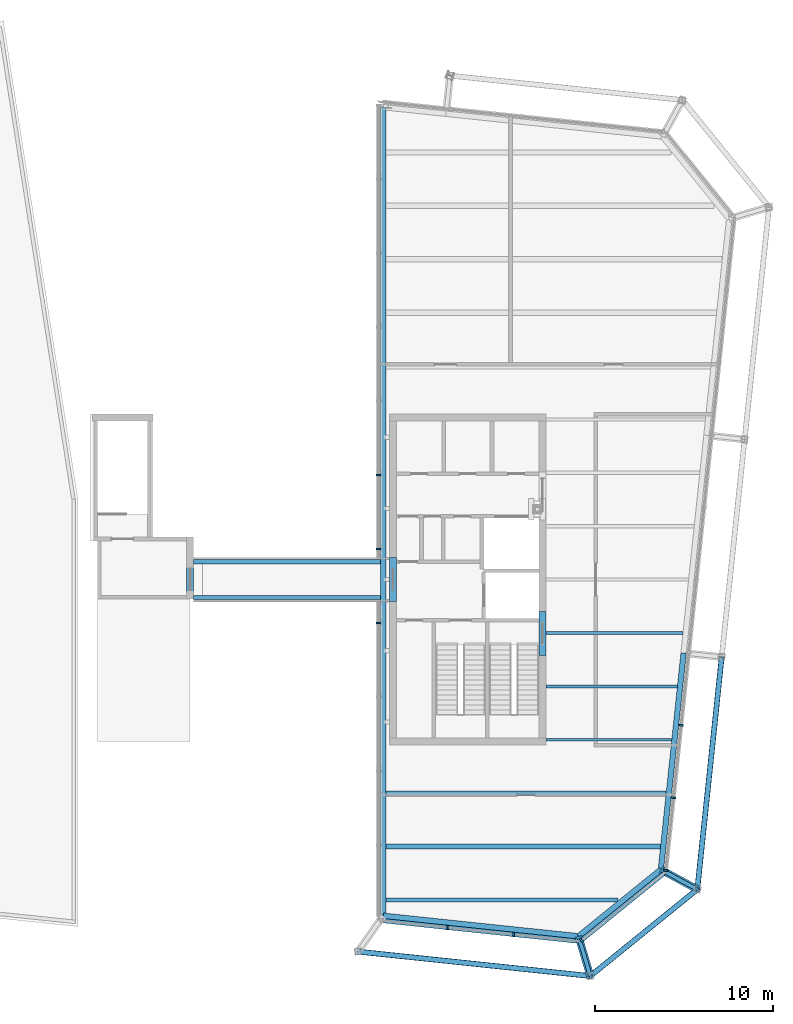
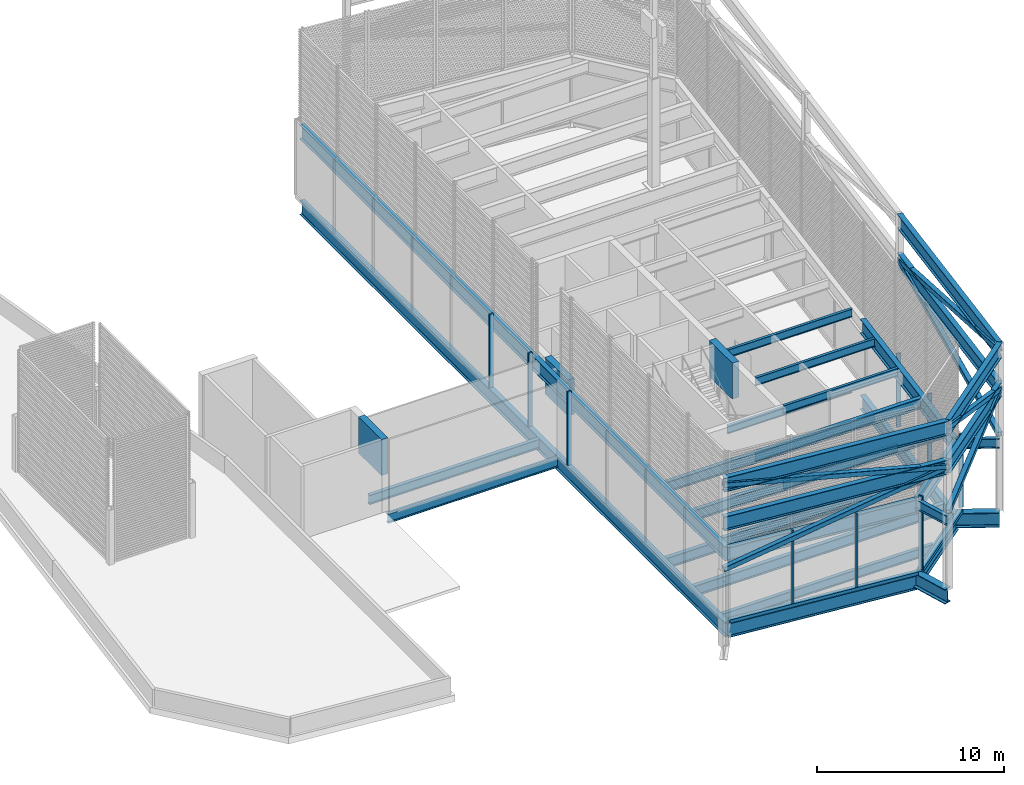
# One storey, part 4 of 11: 35 beams, 17 members, 4 elements without a shape of their own.
"""IFC4 building model written with IfcOpenShell, lengths in metres."""

import ifcopenshell
import ifcopenshell.guid

model = None  # the IFC model being written
_history = None  # IfcOwnerHistory: only IFC2X3 demands one
_inside = {}  # id of a spatial element -> (the spatial element, [elements in it])
_under = {}  # id of a project, library or spatial element -> (it, [spatial elements below it])
_declared = {}  # id of a project -> (the project, [libraries it declares])
_typed = {}  # id of a type object -> (the type object, [elements of that type])
_made_of = {}  # id of a material, layer set ... -> (it, [elements and type objects made of it])


def new_model(schema):
    """Start an empty IFC model of exactly this schema.

    Asked for "IFC4X3", IfcOpenShell would pick the latest addendum, in which some entities
    have other attributes; the version numbers below select the first issue.
    IFC2X3 requires an IfcOwnerHistory on every rooted entity: one is made here for all.
    """
    global model, _history
    if schema == "IFC4X3":
        model = ifcopenshell.file(schema_version=(4, 3, 0, 0))
    else:
        model = ifcopenshell.file(schema=schema)
    _inside.clear()
    _under.clear()
    _declared.clear()
    _typed.clear()
    _made_of.clear()
    _history = None
    if model.schema == "IFC2X3":
        org = make("IfcOrganization", Name="unknown")
        user = make(
            "IfcPersonAndOrganization",
            ThePerson=make("IfcPerson", FamilyName="unknown"),
            TheOrganization=org,
        )
        app = make(
            "IfcApplication",
            ApplicationDeveloper=org,
            Version="unknown",
            ApplicationFullName="unknown",
            ApplicationIdentifier="unknown",
        )
        _history = make(
            "IfcOwnerHistory",
            OwningUser=user,
            OwningApplication=app,
            ChangeAction="ADDED",
            CreationDate=0,
        )
    return model


def make(cls, **values):
    """One entity of the class cls with the attributes given. An attribute that is None is left unset."""
    return model.create_entity(
        cls, **{name: value for name, value in values.items() if value is not None}
    )


def rooted(cls, **values):
    """An entity with a GlobalId (a new one), such as an element, a storey or a relation."""
    return make(cls, GlobalId=ifcopenshell.guid.new(), OwnerHistory=_history, **values)


def si_unit(unit_type, name, prefix=None):
    """IfcSIUnit, for example si_unit("LENGTHUNIT", "METRE", prefix="MILLI")."""
    return make("IfcSIUnit", UnitType=unit_type, Prefix=prefix, Name=name)


def assignment(units):
    """IfcUnitAssignment: the units of a project."""
    return None if units is None else make("IfcUnitAssignment", Units=units)


def point(xyz):
    """IfcCartesianPoint."""
    return None if xyz is None else make("IfcCartesianPoint", Coordinates=xyz)


def direction(xyz):
    """IfcDirection."""
    return None if xyz is None else make("IfcDirection", DirectionRatios=xyz)


def frame(location, z_axis=None, x_axis=None):
    """IfcAxis2Placement3D, a coordinate frame: its origin and axes. An axis left out is left unset."""
    return make(
        "IfcAxis2Placement3D",
        Location=point(location),
        Axis=direction(z_axis),
        RefDirection=direction(x_axis),
    )


def frame_2d(location, x_axis=None):
    """IfcAxis2Placement2D, a coordinate frame in the plane: its origin and x axis."""
    return make(
        "IfcAxis2Placement2D", Location=point(location), RefDirection=direction(x_axis)
    )


def origin():
    """The frame at (0, 0, 0) with its axes left unset."""
    return frame((0.0, 0.0, 0.0))


def origin_2d():
    """The frame at (0, 0) in the plane with its x axis left unset."""
    return frame_2d((0.0, 0.0))


def place(relative_to, where):
    """IfcLocalPlacement: puts the frame where relative to a parent placement (None: the world)."""
    return make(
        "IfcLocalPlacement", PlacementRelTo=relative_to, RelativePlacement=where
    )


def context(
    kind, dimensions, precision=None, world=None, true_north=None, identifier=None
):
    """IfcGeometricRepresentationContext, for example the 3D "Model" context."""
    return make(
        "IfcGeometricRepresentationContext",
        ContextIdentifier=identifier,
        ContextType=kind,
        CoordinateSpaceDimension=dimensions,
        Precision=precision,
        WorldCoordinateSystem=world,
        TrueNorth=true_north,
    )


def subcontext(parent, identifier, kind, view, scale=None):
    """IfcGeometricRepresentationSubContext, for example "Body" below "Model"."""
    return make(
        "IfcGeometricRepresentationSubContext",
        ContextIdentifier=identifier,
        ContextType=kind,
        ParentContext=parent,
        TargetScale=scale,
        TargetView=view,
    )


def project(units=None, contexts=None):
    """IfcProject with its units and contexts."""
    return rooted(
        "IfcProject",
        Name="project",
        RepresentationContexts=contexts,
        UnitsInContext=assignment(units),
    )


def spatial(cls, under=None, at=None, **own):
    """A site, building, storey or space (cls), placed at a placement, below another one or the project."""
    s = rooted(cls, ObjectPlacement=at, **own)
    if under is not None:
        _under.setdefault(under.id(), (under, []))[1].append(s)
    return s


def profile(cls, at=None, kind="AREA", **sizes):
    """A parametric profile (cls). Its sizes go by their IFC names, for example OverallWidth=200.0."""
    return make(cls, ProfileType=kind, Position=at, **sizes)


def rectangle(**sizes):
    """IfcRectangleProfileDef."""
    return profile("IfcRectangleProfileDef", **sizes)


def hollow_rectangle(**sizes):
    """IfcRectangleHollowProfileDef."""
    return profile("IfcRectangleHollowProfileDef", **sizes)


def i_section(**sizes):
    """IfcIShapeProfileDef."""
    return profile("IfcIShapeProfileDef", **sizes)


def extrude(swept, where, along, depth):
    """IfcExtrudedAreaSolid: the profile swept, set in the frame where, extruded along a direction by depth."""
    return make(
        "IfcExtrudedAreaSolid",
        SweptArea=swept,
        Position=where,
        ExtrudedDirection=direction(along),
        Depth=depth,
    )


def shape(context_of_items, identifier, shape_type, items):
    """IfcShapeRepresentation: the items that make up one representation, for example the "Body"."""
    return make(
        "IfcShapeRepresentation",
        ContextOfItems=context_of_items,
        RepresentationIdentifier=identifier,
        RepresentationType=shape_type,
        Items=items,
    )


def material(Name=None, Category=None):
    """IfcMaterial."""
    return make("IfcMaterial", Name=Name, Category=Category)


def layer(
    of_material, thickness, ventilated=None, Name=None, Category=None, Priority=None
):
    """IfcMaterialLayer: one layer of a wall or slab, of a material (None: an air gap)."""
    return make(
        "IfcMaterialLayer",
        Material=of_material,
        LayerThickness=thickness,
        IsVentilated=ventilated,
        Name=Name,
        Category=Category,
        Priority=Priority,
    )


def layer_set(layers, Name=None):
    """IfcMaterialLayerSet."""
    return make("IfcMaterialLayerSet", MaterialLayers=layers, LayerSetName=Name)


def material_profile(
    of_material, cross_section, Name=None, Category=None, Priority=None
):
    """IfcMaterialProfile: a cross section and its material."""
    return make(
        "IfcMaterialProfile",
        Name=Name,
        Material=of_material,
        Profile=cross_section,
        Priority=Priority,
        Category=Category,
    )


def profile_set(profiles, Name=None, composite=None):
    """IfcMaterialProfileSet."""
    return make(
        "IfcMaterialProfileSet",
        Name=Name,
        MaterialProfiles=profiles,
        CompositeProfile=composite,
    )


def made_of(thing, what):
    """Note that an element or type object is made of a material, layer set ...; save() writes the relation."""
    if what is not None:
        _made_of.setdefault(what.id(), (what, []))[1].append(thing)
    return thing


def type_object(cls, material=None, **own):
    """A type object (cls), such as IfcWallType, which elements share."""
    return made_of(rooted(cls, **own), material)


def element(
    cls,
    number,
    at=None,
    inside=None,
    cuts=None,
    type_object=None,
    material=None,
    context=None,
    identifier="Body",
    shape_type=None,
    held_by="IfcProductDefinitionShape",
    body=None,
    shapes=None,
    **own,
):
    """One element of the class cls, such as IfcWall. Its Tag is "e" and its number.

    at: its placement. inside: the storey or other place that contains it. cuts: it is an
    opening in that element (IfcRelVoidsElement). A single representation is given by context,
    identifier, shape_type and body (its items); several are given by shapes. held_by: the class
    of the entity that holds the representations. save() writes the other relations.
    """
    e = rooted(cls, Tag="e%d" % number, ObjectPlacement=at, **own)
    if body is not None:
        shapes = [shape(context, identifier, shape_type, body)]
    if shapes is not None:
        e.Representation = make(held_by, Representations=shapes)
    if inside is not None:
        _inside.setdefault(inside.id(), (inside, []))[1].append(e)
    if cuts is not None:
        rooted(
            "IfcRelVoidsElement", RelatingBuildingElement=cuts, RelatedOpeningElement=e
        )
    if type_object is not None:
        _typed.setdefault(type_object.id(), (type_object, []))[1].append(e)
    return made_of(e, material)


def aggregate(whole, parts):
    """IfcRelAggregates: a whole, such as a stair, and the parts it consists of."""
    return rooted("IfcRelAggregates", RelatingObject=whole, RelatedObjects=parts)


def save(model, path):
    """Write the relations noted so far, then the file.

    IfcRelAggregates (storeys below a building ...), IfcRelContainedInSpatialStructure (elements
    in a storey), IfcRelDefinesByType, IfcRelAssociatesMaterial and IfcRelDeclares: one each for
    every whole, place, type object, material and project.
    """
    for whole, parts in _under.values():
        aggregate(whole, parts)
    for where, things in _inside.values():
        rooted(
            "IfcRelContainedInSpatialStructure",
            RelatedElements=things,
            RelatingStructure=where,
        )
    for kind, things in _typed.values():
        rooted("IfcRelDefinesByType", RelatedObjects=things, RelatingType=kind)
    for what, things in _made_of.values():
        rooted("IfcRelAssociatesMaterial", RelatedObjects=things, RelatingMaterial=what)
    for by, libraries in _declared.values():
        rooted("IfcRelDeclares", RelatingContext=by, RelatedDefinitions=libraries)
    model.write(path)


model = new_model("IFC4")

# Units and contexts
model_context = context("Model", 3, precision=1e-05, world=origin(), true_north=direction((0.0, 1.0)))
body_context = subcontext(model_context, "Body", "Model", "MODEL_VIEW")
ifc_project = project(units=[si_unit("LENGTHUNIT", "METRE"), si_unit("AREAUNIT", "SQUARE_METRE"), si_unit("VOLUMEUNIT", "CUBIC_METRE"), si_unit("PLANEANGLEUNIT", "RADIAN"), si_unit("MASSUNIT", "GRAM", prefix="KILO")], contexts=[model_context])

# Site, building, storey
site_placement = place(None, origin())
site = spatial("IfcSite", under=ifc_project, at=site_placement, CompositionType="ELEMENT")
building_placement = place(site_placement, origin())
building = spatial("IfcBuilding", under=site, at=building_placement, Name="Millrace Tower", CompositionType="ELEMENT")
storey_placement = place(building_placement, frame((0.0, 0.0, 357.10009765625)))
storey = spatial("IfcBuildingStorey", under=building, at=storey_placement, Name="L82", CompositionType="ELEMENT", Elevation=357.10009765625)

# Beams
ifc_material_1 = material(Name="Steel ASTM A992 Grade 50", Category="steel")
ifc_material_profile_1 = material_profile(ifc_material_1, i_section(OverallWidth=0.23046875, OverallDepth=0.6171875, WebThickness=0.01318359375, FlangeThickness=0.022216796875, FilletRadius=0.012939453125, at=origin_2d()))
ifc_profile_set_1 = profile_set([ifc_material_profile_1], Name="Steel ASTM A992 Grade 50")
beam_type_1 = type_object("IfcBeamType", Name="Bridge beam W24x94", PredefinedType="BEAM", material=ifc_profile_set_1)
for number, where, z_axis, x_axis, name in (
    (1, (-5.5, -1.0, -0.5087890625), (1.0, 0.0, 0.0), (0.0, 1.0, 0.0), "BR-LK-L82-S"),
    (2, (-5.5, 1.0, -0.5087890625), (1.0, 0.0, 0.0), (0.0, 1.0, 0.0), "BR-LK-L82-N"),
):
    element("IfcBeam", number, at=place(storey_placement, frame(where, z_axis=z_axis, x_axis=x_axis)), inside=storey, type_object=beam_type_1, Name=name, PredefinedType="BEAM", context=body_context, shape_type="SweptSolid", body=[
        extrude(i_section(OverallWidth=0.23046875, OverallDepth=0.6171875, WebThickness=0.01318359375, FlangeThickness=0.022216796875, FilletRadius=0.012939453125, at=origin_2d()), origin(), (0.0, 0.0, 1.0), 10.5),
    ])

# Members
ifc_material_2 = material(Name="Steel ASTM A500 Grade C", Category="steel")
ifc_material_profile_2 = material_profile(ifc_material_2, hollow_rectangle(XDim=0.3046875, YDim=0.3046875, WallThickness=0.0126953125, InnerFilletRadius=0.00634765625, OuterFilletRadius=0.01904296875, at=origin_2d()))
ifc_profile_set_2 = profile_set([ifc_material_profile_2], Name="Steel ASTM A500 Grade C")
member_type_1 = type_object("IfcMemberType", Name="CROWN FRAME brace HSS12x12x1/2", PredefinedType="BRACE", material=ifc_profile_set_2)
member_1_placement = place(storey_placement, frame((3.729248046875, -20.9072265625, 5.0), z_axis=(0.969530048656, -0.101904082041, 0.222771279154), x_axis=(0.104530865473, 0.994521642883, 0.0)))
element("IfcMember", 3, at=member_1_placement, inside=storey, type_object=member_type_1, Name="CROWN FRAME brace E.1 lo", PredefinedType="BRACE", context=body_context, shape_type="SweptSolid", body=[
    extrude(hollow_rectangle(XDim=0.3046875, YDim=0.3046875, WallThickness=0.0126953125, InnerFilletRadius=0.00634765625, OuterFilletRadius=0.01904296875, at=origin_2d()), origin(), (0.0, 0.0, 1.0), 13.466796875),
])
member_2_placement = place(storey_placement, frame((16.78564453125, -22.279541015625, 8.0), z_axis=(-0.976464915584, 0.102632982862, 0.189691168646), x_axis=(-0.104530865473, -0.994521642883, 0.0)))
element("IfcMember", 4, at=member_2_placement, inside=storey, type_object=member_type_1, Name="CROWN FRAME brace E.1 up", PredefinedType="BRACE", context=body_context, shape_type="SweptSolid", body=[
    extrude(hollow_rectangle(XDim=0.3046875, YDim=0.3046875, WallThickness=0.0126953125, InnerFilletRadius=0.00634765625, OuterFilletRadius=0.01904296875, at=origin_2d()), origin(), (0.0, 0.0, 1.0), 13.37109375),
])
member_3_placement = place(storey_placement, frame((16.78564453125, -22.279541015625, 5.0), z_axis=(0.724604337718, 0.586755363759, 0.36147848741), x_axis=(-0.629308952043, 0.777155224442, 0.0)))
element("IfcMember", 5, at=member_3_placement, inside=storey, type_object=member_type_1, Name="CROWN FRAME brace E.2 lo", PredefinedType="BRACE", context=body_context, shape_type="SweptSolid", body=[
    extrude(hollow_rectangle(XDim=0.3046875, YDim=0.3046875, WallThickness=0.0126953125, InnerFilletRadius=0.00634765625, OuterFilletRadius=0.01904296875, at=origin_2d()), origin(), (0.0, 0.0, 1.0), 8.29931640625),
])
member_4_placement = place(storey_placement, frame((22.79931640625, -17.409912109375, 8.0), z_axis=(-0.738495375977, -0.598003766208, 0.311474036255), x_axis=(0.629308952043, -0.777155224442, 0.0)))
element("IfcMember", 6, at=member_4_placement, inside=storey, type_object=member_type_1, Name="CROWN FRAME brace E.2 up", PredefinedType="BRACE", context=body_context, shape_type="SweptSolid", body=[
    extrude(hollow_rectangle(XDim=0.3046875, YDim=0.3046875, WallThickness=0.0126953125, InnerFilletRadius=0.00634765625, OuterFilletRadius=0.01904296875, at=origin_2d()), origin(), (0.0, 0.0, 1.0), 8.14306640625),
])
member_5_placement = place(storey_placement, frame((22.79931640625, -17.409912109375, 5.0), z_axis=(0.101902290927, 0.969531136586, 0.222767363619), x_axis=(-0.994521846076, 0.104528932251, 0.0)))
element("IfcMember", 7, at=member_5_placement, inside=storey, type_object=member_type_1, Name="CROWN FRAME brace E.3 lo", PredefinedType="BRACE", context=body_context, shape_type="SweptSolid", body=[
    extrude(hollow_rectangle(XDim=0.3046875, YDim=0.3046875, WallThickness=0.0126953125, InnerFilletRadius=0.00634765625, OuterFilletRadius=0.01904296875, at=origin_2d()), origin(), (0.0, 0.0, 1.0), 13.467041015625),
])
member_6_placement = place(storey_placement, frame((24.171630859375, -4.353271484375, 8.0), z_axis=(-0.102631153038, -0.976465764895, 0.189687786677), x_axis=(0.994521846076, -0.104528932251, 0.0)))
element("IfcMember", 8, at=member_6_placement, inside=storey, type_object=member_type_1, Name="CROWN FRAME brace E.3 up", PredefinedType="BRACE", context=body_context, shape_type="SweptSolid", body=[
    extrude(hollow_rectangle(XDim=0.3046875, YDim=0.3046875, WallThickness=0.0126953125, InnerFilletRadius=0.00634765625, OuterFilletRadius=0.01904296875, at=origin_2d()), origin(), (0.0, 0.0, 1.0), 13.371337890625),
])

# Beams
ifc_material_3 = material(Name="Steel ASTM A992 Grade 50", Category="steel")
ifc_material_profile_3 = material_profile(ifc_material_3, i_section(OverallWidth=0.307373046875, OverallDepth=0.927001953125, WebThickness=0.01953125, FlangeThickness=0.031982421875, FilletRadius=0.01904296875, at=origin_2d()))
ifc_profile_set_3 = profile_set([ifc_material_profile_3], Name="Steel ASTM A992 Grade 50")
beam_type_2 = type_object("IfcBeamType", Name="CROWN FRAME ring beam W36x194", PredefinedType="BEAM", material=ifc_profile_set_3)
for number, where, z_axis, x_axis, name in (
    (9, (3.729248046875, -20.9072265625, 8.0), (0.994521642883, -0.104530865473, 0.0), (0.104530865473, 0.994521642883, 0.0), "CROWN FRAME ring beam E.1 mid"),
    (10, (3.729248046875, -20.9072265625, 10.536376953125), (0.994521642883, -0.104530865473, 0.0), (0.104530865473, 0.994521642883, 0.0), "CROWN FRAME ring beam E.1 top"),
):
    element("IfcBeam", number, at=place(storey_placement, frame(where, z_axis=z_axis, x_axis=x_axis)), inside=storey, type_object=beam_type_2, Name=name, PredefinedType="BEAM", context=body_context, shape_type="SweptSolid", body=[
        extrude(i_section(OverallWidth=0.307373046875, OverallDepth=0.927001953125, WebThickness=0.01953125, FlangeThickness=0.031982421875, FilletRadius=0.01904296875, at=origin_2d()), origin(), (0.0, 0.0, 1.0), 13.12841796875),
    ])
for number, where, z_axis, x_axis, name in (
    (11, (16.78564453125, -22.279541015625, 8.0), (0.777155224442, 0.629308952043, 0.0), (-0.629308952043, 0.777155224442, 0.0), "CROWN FRAME ring beam E.2 mid"),
    (12, (16.78564453125, -22.279541015625, 10.536376953125), (0.777155224442, 0.629308952043, 0.0), (-0.629308952043, 0.777155224442, 0.0), "CROWN FRAME ring beam E.2 top"),
):
    element("IfcBeam", number, at=place(storey_placement, frame(where, z_axis=z_axis, x_axis=x_axis)), inside=storey, type_object=beam_type_2, Name=name, PredefinedType="BEAM", context=body_context, shape_type="SweptSolid", body=[
        extrude(i_section(OverallWidth=0.307373046875, OverallDepth=0.927001953125, WebThickness=0.01953125, FlangeThickness=0.031982421875, FilletRadius=0.01904296875, at=origin_2d()), origin(), (0.0, 0.0, 1.0), 7.738037109375),
    ])
for number, where, z_axis, x_axis, name in (
    (13, (22.79931640625, -17.409912109375, 8.0), (0.104528932251, 0.994521846076, 0.0), (-0.994521846076, 0.104528932251, 0.0), "CROWN FRAME ring beam E.3 mid"),
    (14, (22.79931640625, -17.409912109375, 10.536376953125), (0.104528932251, 0.994521846076, 0.0), (-0.994521846076, 0.104528932251, 0.0), "CROWN FRAME ring beam E.3 top"),
):
    element("IfcBeam", number, at=place(storey_placement, frame(where, z_axis=z_axis, x_axis=x_axis)), inside=storey, type_object=beam_type_2, Name=name, PredefinedType="BEAM", context=body_context, shape_type="SweptSolid", body=[
        extrude(i_section(OverallWidth=0.307373046875, OverallDepth=0.927001953125, WebThickness=0.01953125, FlangeThickness=0.031982421875, FilletRadius=0.01904296875, at=origin_2d()), origin(), (0.0, 0.0, 1.0), 13.128662109375),
    ])

# Curtain wall, members
ifc_material_4 = material(Name="Aluminium and glass", Category="aluminium")
ifc_layer = layer(ifc_material_4, 0.25)
ifc_layer_set = layer_set([ifc_layer], Name="Aluminium and glass")
curtain_wall_type = type_object("IfcCurtainWallType", Name="CW-7 crown louvred enclosure", PredefinedType="NOTDEFINED", material=ifc_layer_set)
placement = place(storey_placement, origin())
curtain_wall_1 = element("IfcCurtainWall", 15, at=placement, inside=storey, type_object=curtain_wall_type, Name="Curtain wall CE-F01 L82", PredefinedType="NOTDEFINED")
ifc_material_5 = material(Name="Aluminium", Category="aluminium")
ifc_material_profile_4 = material_profile(ifc_material_5, rectangle(XDim=0.10009765625, YDim=0.25, at=origin_2d()))
ifc_profile_set_4 = profile_set([ifc_material_profile_4], Name="Aluminium")
member_type_2 = type_object("IfcMemberType", Name="CW-7 crown louvred enclosure mullion", PredefinedType="MULLION", material=ifc_profile_set_4)
member_7_placement = place(storey_placement, frame((4.875, 5.875, 0.199951171875), z_axis=(0.0, 0.0, 1.0), x_axis=(0.0, -1.0, 0.0)))
member_7 = element("IfcMember", 16, at=member_7_placement, type_object=member_type_2, Name="CW7 mullion CE-F01.6", PredefinedType="MULLION", context=body_context, shape_type="SweptSolid", body=[
    extrude(rectangle(XDim=0.10009765625, YDim=0.25, at=origin_2d()), origin(), (0.0, 0.0, 1.0), 4.800048828125),
])
member_8_placement = place(storey_placement, frame((4.875, 1.7158203125, 0.199951171875), z_axis=(0.0, 0.0, 1.0), x_axis=(0.0, -1.0, 0.0)))
member_8 = element("IfcMember", 17, at=member_8_placement, type_object=member_type_2, Name="CW7 mullion CE-F01.7", PredefinedType="MULLION", context=body_context, shape_type="SweptSolid", body=[
    extrude(rectangle(XDim=0.10009765625, YDim=0.25, at=origin_2d()), origin(), (0.0, 0.0, 1.0), 4.800048828125),
])
member_9_placement = place(storey_placement, frame((4.875, -2.443115234375, 0.199951171875), z_axis=(0.0, 0.0, 1.0), x_axis=(0.0, -1.0, 0.0)))
member_9 = element("IfcMember", 18, at=member_9_placement, type_object=member_type_2, Name="CW7 mullion CE-F01.8", PredefinedType="MULLION", context=body_context, shape_type="SweptSolid", body=[
    extrude(rectangle(XDim=0.10009765625, YDim=0.25, at=origin_2d()), origin(), (0.0, 0.0, 1.0), 4.800048828125),
])
aggregate(curtain_wall_1, [member_7, member_8, member_9])

curtain_wall_2 = element("IfcCurtainWall", 19, at=placement, inside=storey, type_object=curtain_wall_type, Name="Curtain wall CE-F02 L82", PredefinedType="NOTDEFINED")
member_10_placement = place(storey_placement, frame((8.76025390625, -19.55078125, 0.199951171875), z_axis=(0.0, 0.0, 1.0), x_axis=(0.994521900296, -0.104528416385, 0.0)))
member_10 = element("IfcMember", 20, at=member_10_placement, type_object=member_type_2, Name="CW7 mullion CE-F02.2", PredefinedType="MULLION", context=body_context, shape_type="SweptSolid", body=[
    extrude(rectangle(XDim=0.10009765625, YDim=0.25, at=origin_2d()), origin(), (0.0, 0.0, 1.0), 4.800048828125),
])
member_11_placement = place(storey_placement, frame((12.48388671875, -19.942138671875, 0.199951171875), z_axis=(0.0, 0.0, 1.0), x_axis=(0.994521900296, -0.104528416385, 0.0)))
member_11 = element("IfcMember", 21, at=member_11_placement, type_object=member_type_2, Name="CW7 mullion CE-F02.3", PredefinedType="MULLION", context=body_context, shape_type="SweptSolid", body=[
    extrude(rectangle(XDim=0.10009765625, YDim=0.25, at=origin_2d()), origin(), (0.0, 0.0, 1.0), 4.800048828125),
])

# Curtain wall, member
curtain_wall_3 = element("IfcCurtainWall", 22, at=placement, inside=storey, type_object=curtain_wall_type, Name="Curtain wall CE-F03 L82", PredefinedType="NOTDEFINED")
member_12_placement = place(storey_placement, frame((16.288330078125, -20.26953125, 0.199951171875), z_axis=(0.0, 0.0, 1.0), x_axis=(0.777146052237, 0.629320278945, 0.0)))
member_12 = element("IfcMember", 23, at=member_12_placement, type_object=member_type_2, Name="CW7 mullion CE-F03.1", PredefinedType="MULLION", context=body_context, shape_type="SweptSolid", body=[
    extrude(rectangle(XDim=0.10009765625, YDim=0.25, at=origin_2d()), origin(), (0.0, 0.0, 1.0), 4.800048828125),
])

# Curtain wall, members
curtain_wall_4 = element("IfcCurtainWall", 24, at=placement, inside=storey, type_object=curtain_wall_type, Name="Curtain wall CE-F04 L82", PredefinedType="NOTDEFINED")
member_13_placement = place(storey_placement, frame((21.0263671875, -16.34033203125, 0.199951171875), z_axis=(0.0, 0.0, 1.0), x_axis=(0.104528455196, 0.994521896217, 0.0)))
member_13 = element("IfcMember", 25, at=member_13_placement, type_object=member_type_2, Name="CW7 mullion CE-F04.1", PredefinedType="MULLION", context=body_context, shape_type="SweptSolid", body=[
    extrude(rectangle(XDim=0.10009765625, YDim=0.25, at=origin_2d()), origin(), (0.0, 0.0, 1.0), 4.800048828125),
])
member_14_placement = place(storey_placement, frame((21.454833984375, -12.2626953125, 0.199951171875), z_axis=(0.0, 0.0, 1.0), x_axis=(0.104528455196, 0.994521896217, 0.0)))
member_14 = element("IfcMember", 26, at=member_14_placement, type_object=member_type_2, Name="CW7 mullion CE-F04.2", PredefinedType="MULLION", context=body_context, shape_type="SweptSolid", body=[
    extrude(rectangle(XDim=0.10009765625, YDim=0.25, at=origin_2d()), origin(), (0.0, 0.0, 1.0), 4.800048828125),
])
member_15_placement = place(storey_placement, frame((21.883544921875, -8.185302734375, 0.199951171875), z_axis=(0.0, 0.0, 1.0), x_axis=(0.104528455196, 0.994521896217, 0.0)))
member_15 = element("IfcMember", 27, at=member_15_placement, type_object=member_type_2, Name="CW7 mullion CE-F04.3", PredefinedType="MULLION", context=body_context, shape_type="SweptSolid", body=[
    extrude(rectangle(XDim=0.10009765625, YDim=0.25, at=origin_2d()), origin(), (0.0, 0.0, 1.0), 4.800048828125),
])
aggregate(curtain_wall_4, [member_13, member_14, member_15])

# Member
ifc_material_6 = material(Name="Aluminium", Category="aluminium")
ifc_material_profile_5 = material_profile(ifc_material_6, rectangle(XDim=0.25, YDim=0.199951171875, at=origin_2d()))
ifc_profile_set_5 = profile_set([ifc_material_profile_5], Name="Aluminium")
member_type_3 = type_object("IfcMemberType", Name="CW-7 crown louvred enclosure transom", PredefinedType="USERDEFINED", material=ifc_profile_set_5)
member_16_placement = place(storey_placement, frame((5.08642578125, -19.16455078125, 0.099853515625), z_axis=(0.994520720761, -0.104539638301, 0.0), x_axis=(0.104539638301, 0.994520720761, 0.0)))
member_16 = element("IfcMember", 28, at=member_16_placement, type_object=member_type_3, Name="CW7 transom CE-F02.1", ObjectType="TRANSOM", PredefinedType="USERDEFINED", context=body_context, shape_type="SweptSolid", body=[
    extrude(rectangle(XDim=0.25, YDim=0.199951171875, at=origin_2d()), origin(), (0.0, 0.0, 1.0), 11.032470703125),
])

aggregate(curtain_wall_2, [member_10, member_11, member_16])

member_17_placement = place(storey_placement, frame((16.327392578125, -20.238037109375, 0.099853515625), z_axis=(0.77714915117, 0.629316452061, 0.0), x_axis=(-0.629316452061, 0.77714915117, 0.0)))
member_17 = element("IfcMember", 29, at=member_17_placement, type_object=member_type_3, Name="CW7 transom CE-F03.1", ObjectType="TRANSOM", PredefinedType="USERDEFINED", context=body_context, shape_type="SweptSolid", body=[
    extrude(rectangle(XDim=0.25, YDim=0.199951171875, at=origin_2d()), origin(), (0.0, 0.0, 1.0), 5.880859375),
])

aggregate(curtain_wall_3, [member_12, member_17])

# Beams
ifc_material_7 = material(Name="Concrete C40", Category="concrete")
ifc_material_profile_6 = material_profile(ifc_material_7, rectangle(XDim=0.39990234375, YDim=2.35009765625, at=origin_2d()))
ifc_profile_set_6 = profile_set([ifc_material_profile_6], Name="Concrete C40")
beam_type_3 = type_object("IfcBeamType", Name="Coupling beam 400 x 2350 Concrete C40, 1300 opening", PredefinedType="BEAM", material=ifc_profile_set_6)
beam_1_placement = place(storey_placement, frame((-5.699951171875, -1.050048828125, 3.574951171875), z_axis=(0.0, 1.0, 0.0), x_axis=(-1.0, 0.0, 0.0)))
element("IfcBeam", 30, at=beam_1_placement, inside=storey, type_object=beam_type_3, Name="Coupling beam W L82", PredefinedType="BEAM", context=body_context, shape_type="SweptSolid", body=[
    extrude(rectangle(XDim=0.39990234375, YDim=2.35009765625, at=origin_2d()), origin(), (0.0, 0.0, 1.0), 2.467529296875),
])
ifc_material_8 = material(Name="Concrete C60", Category="concrete")
ifc_material_profile_7 = material_profile(ifc_material_8, rectangle(XDim=0.39990234375, YDim=2.35009765625, at=origin_2d()))
ifc_profile_set_7 = profile_set([ifc_material_profile_7], Name="Concrete C60")
beam_type_4 = type_object("IfcBeamType", Name="Coupling beam 400 x 2350 Concrete C60, 1300 opening", PredefinedType="BEAM", material=ifc_profile_set_7)
beam_2_placement = place(storey_placement, frame((14.10009765625, -1.796142578125, 3.574951171875), z_axis=(0.0, -1.0, 0.0), x_axis=(1.0, 0.0, 0.0)))
element("IfcBeam", 31, at=beam_2_placement, inside=storey, type_object=beam_type_4, Name="Coupling beam E L82", PredefinedType="BEAM", context=body_context, shape_type="SweptSolid", body=[
    extrude(rectangle(XDim=0.39990234375, YDim=2.35009765625, at=origin_2d()), origin(), (0.0, 0.0, 1.0), 2.467529296875),
])
beam_3_placement = place(storey_placement, frame((5.699951171875, 1.23388671875, 3.574951171875), z_axis=(0.0, -1.0, 0.0), x_axis=(1.0, 0.0, 0.0)))
element("IfcBeam", 32, at=beam_3_placement, inside=storey, type_object=beam_type_4, Name="Coupling beam E L82", PredefinedType="BEAM", context=body_context, shape_type="SweptSolid", body=[
    extrude(rectangle(XDim=0.39990234375, YDim=2.35009765625, at=origin_2d()), origin(), (0.0, 0.0, 1.0), 2.4677734375),
])
ifc_material_9 = material(Name="Steel ASTM A992 Grade 50", Category="steel")
ifc_material_profile_8 = material_profile(ifc_material_9, i_section(OverallWidth=0.1650390625, OverallDepth=0.52587890625, WebThickness=0.0087890625, FlangeThickness=0.011474609375, FilletRadius=0.0126953125, at=origin_2d()))
ifc_profile_set_8 = profile_set([ifc_material_profile_8], Name="Steel ASTM A992 Grade 50")
beam_type_5 = type_object("IfcBeamType", Name="Floor beam W21x44", PredefinedType="JOIST", material=ifc_profile_set_8)
beam_4_placement = place(storey_placement, frame((14.300048828125, -9.0, -0.462890625), z_axis=(1.0, 0.0, 0.0), x_axis=(0.0, 1.0, 0.0)))
element("IfcBeam", 33, at=beam_4_placement, inside=storey, type_object=beam_type_5, Name="BM-CROWN-L82-SE-S004", PredefinedType="JOIST", context=body_context, shape_type="SweptSolid", body=[
    extrude(i_section(OverallWidth=0.1650390625, OverallDepth=0.52587890625, WebThickness=0.0087890625, FlangeThickness=0.011474609375, FilletRadius=0.0126953125, at=origin_2d()), origin(), (0.0, 0.0, 1.0), 7.06298828125),
])
beam_5_placement = place(storey_placement, frame((14.300048828125, -6.0, -0.462890625), z_axis=(1.0, 0.0, 0.0), x_axis=(0.0, 1.0, 0.0)))
element("IfcBeam", 34, at=beam_5_placement, inside=storey, type_object=beam_type_5, Name="BM-CROWN-L82-SE-S005", PredefinedType="JOIST", context=body_context, shape_type="SweptSolid", body=[
    extrude(i_section(OverallWidth=0.1650390625, OverallDepth=0.52587890625, WebThickness=0.0087890625, FlangeThickness=0.011474609375, FilletRadius=0.0126953125, at=origin_2d()), origin(), (0.0, 0.0, 1.0), 7.37841796875),
])
beam_6_placement = place(storey_placement, frame((14.300048828125, -3.0, -0.462890625), z_axis=(1.0, 0.0, 0.0), x_axis=(0.0, 1.0, 0.0)))
element("IfcBeam", 35, at=beam_6_placement, inside=storey, type_object=beam_type_5, Name="BM-CROWN-L82-SE-S006", PredefinedType="JOIST", context=body_context, shape_type="SweptSolid", body=[
    extrude(i_section(OverallWidth=0.1650390625, OverallDepth=0.52587890625, WebThickness=0.0087890625, FlangeThickness=0.011474609375, FilletRadius=0.0126953125, at=origin_2d()), origin(), (0.0, 0.0, 1.0), 7.693603515625),
])
beam_7_placement = place(storey_placement, frame((14.300048828125, -9.0, 4.487060546875), z_axis=(1.0, 0.0, 0.0), x_axis=(0.0, 1.0, 0.0)))
element("IfcBeam", 36, at=beam_7_placement, inside=storey, type_object=beam_type_5, Name="BM-E-L82-RE-S004", PredefinedType="JOIST", context=body_context, shape_type="SweptSolid", body=[
    extrude(i_section(OverallWidth=0.1650390625, OverallDepth=0.52587890625, WebThickness=0.0087890625, FlangeThickness=0.011474609375, FilletRadius=0.0126953125, at=origin_2d()), origin(), (0.0, 0.0, 1.0), 7.06298828125),
])
beam_8_placement = place(storey_placement, frame((14.300048828125, -6.0, 4.487060546875), z_axis=(1.0, 0.0, 0.0), x_axis=(0.0, 1.0, 0.0)))
element("IfcBeam", 37, at=beam_8_placement, inside=storey, type_object=beam_type_5, Name="BM-E-L82-RE-S005", PredefinedType="JOIST", context=body_context, shape_type="SweptSolid", body=[
    extrude(i_section(OverallWidth=0.1650390625, OverallDepth=0.52587890625, WebThickness=0.0087890625, FlangeThickness=0.011474609375, FilletRadius=0.0126953125, at=origin_2d()), origin(), (0.0, 0.0, 1.0), 7.37841796875),
])
beam_9_placement = place(storey_placement, frame((14.300048828125, -3.0, 4.487060546875), z_axis=(1.0, 0.0, 0.0), x_axis=(0.0, 1.0, 0.0)))
element("IfcBeam", 38, at=beam_9_placement, inside=storey, type_object=beam_type_5, Name="BM-E-L82-RE-S006", PredefinedType="JOIST", context=body_context, shape_type="SweptSolid", body=[
    extrude(i_section(OverallWidth=0.1650390625, OverallDepth=0.52587890625, WebThickness=0.0087890625, FlangeThickness=0.011474609375, FilletRadius=0.0126953125, at=origin_2d()), origin(), (0.0, 0.0, 1.0), 7.693603515625),
])
ifc_material_10 = material(Name="Steel ASTM A992 Grade 50", Category="steel")
ifc_material_profile_9 = material_profile(ifc_material_10, i_section(OverallWidth=0.228271484375, OverallDepth=0.607177734375, WebThickness=0.01123046875, FlangeThickness=0.017333984375, FilletRadius=0.0126953125, at=origin_2d()))
ifc_profile_set_9 = profile_set([ifc_material_profile_9], Name="Steel ASTM A992 Grade 50")
beam_type_6 = type_object("IfcBeamType", Name="Floor beam W24x76", PredefinedType="JOIST", material=ifc_profile_set_9)
for number, where, z_axis, x_axis, name in (
    (39, (5.307373046875, -18.0, -0.503662109375), (1.0, 0.0, 0.0), (0.0, 1.0, 0.0), "BM-CROWN-L82-SE-S001"),
    (40, (5.307373046875, -18.0, 4.4462890625), (1.0, 0.0, 0.0), (0.0, 1.0, 0.0), "BM-E-L82-RE-S001"),
):
    element("IfcBeam", number, at=place(storey_placement, frame(where, z_axis=z_axis, x_axis=x_axis)), inside=storey, type_object=beam_type_6, Name=name, PredefinedType="JOIST", context=body_context, shape_type="SweptSolid", body=[
        extrude(i_section(OverallWidth=0.228271484375, OverallDepth=0.607177734375, WebThickness=0.01123046875, FlangeThickness=0.017333984375, FilletRadius=0.0126953125, at=origin_2d()), origin(), (0.0, 0.0, 1.0), 13.02880859375),
    ])
ifc_material_11 = material(Name="Steel ASTM A992 Grade 50", Category="steel")
ifc_material_profile_10 = material_profile(ifc_material_11, i_section(OverallWidth=0.256591796875, OverallDepth=0.693359375, WebThickness=0.014404296875, FlangeThickness=0.023681640625, FilletRadius=0.01513671875, at=origin_2d()))
ifc_profile_set_10 = profile_set([ifc_material_profile_10], Name="Steel ASTM A992 Grade 50")
beam_type_7 = type_object("IfcBeamType", Name="Floor beam W27x114", PredefinedType="JOIST", material=ifc_profile_set_10)
beam_10_placement = place(storey_placement, frame((5.307373046875, -15.0, -0.546875), z_axis=(1.0, 0.0, 0.0), x_axis=(0.0, 1.0, 0.0)))
element("IfcBeam", 41, at=beam_10_placement, inside=storey, type_object=beam_type_7, Name="BM-CROWN-L82-SE-S002", PredefinedType="JOIST", context=body_context, shape_type="SweptSolid", body=[
    extrude(i_section(OverallWidth=0.256591796875, OverallDepth=0.693359375, WebThickness=0.014404296875, FlangeThickness=0.023681640625, FilletRadius=0.01513671875, at=origin_2d()), origin(), (0.0, 0.0, 1.0), 15.425048828125),
])
beam_11_placement = place(storey_placement, frame((5.307373046875, -12.0, -0.546875), z_axis=(1.0, 0.0, 0.0), x_axis=(0.0, 1.0, 0.0)))
element("IfcBeam", 42, at=beam_11_placement, inside=storey, type_object=beam_type_7, Name="BM-CROWN-L82-SE-S003", PredefinedType="JOIST", context=body_context, shape_type="SweptSolid", body=[
    extrude(i_section(OverallWidth=0.256591796875, OverallDepth=0.693359375, WebThickness=0.014404296875, FlangeThickness=0.023681640625, FilletRadius=0.01513671875, at=origin_2d()), origin(), (0.0, 0.0, 1.0), 15.740478515625),
])
beam_12_placement = place(storey_placement, frame((5.307373046875, -15.0, 4.403076171875), z_axis=(1.0, 0.0, 0.0), x_axis=(0.0, 1.0, 0.0)))
element("IfcBeam", 43, at=beam_12_placement, inside=storey, type_object=beam_type_7, Name="BM-E-L82-RE-S002", PredefinedType="JOIST", context=body_context, shape_type="SweptSolid", body=[
    extrude(i_section(OverallWidth=0.256591796875, OverallDepth=0.693359375, WebThickness=0.014404296875, FlangeThickness=0.023681640625, FilletRadius=0.01513671875, at=origin_2d()), origin(), (0.0, 0.0, 1.0), 15.425048828125),
])
beam_13_placement = place(storey_placement, frame((5.307373046875, -12.0, 4.403076171875), z_axis=(1.0, 0.0, 0.0), x_axis=(0.0, 1.0, 0.0)))
element("IfcBeam", 44, at=beam_13_placement, inside=storey, type_object=beam_type_7, Name="BM-E-L82-RE-S003", PredefinedType="JOIST", context=body_context, shape_type="SweptSolid", body=[
    extrude(i_section(OverallWidth=0.256591796875, OverallDepth=0.693359375, WebThickness=0.014404296875, FlangeThickness=0.023681640625, FilletRadius=0.01513671875, at=origin_2d()), origin(), (0.0, 0.0, 1.0), 15.740478515625),
])
ifc_material_12 = material(Name="Steel ASTM A992 Grade 50", Category="steel")
ifc_material_profile_11 = material_profile(ifc_material_12, i_section(OverallWidth=0.23046875, OverallDepth=0.6171875, WebThickness=0.01318359375, FlangeThickness=0.022216796875, FilletRadius=0.012939453125, at=origin_2d()))
ifc_profile_set_11 = profile_set([ifc_material_profile_11], Name="Steel ASTM A992 Grade 50")
beam_type_8 = type_object("IfcBeamType", Name="Link beam W24x94", PredefinedType="BEAM", material=ifc_profile_set_11)
for number, where, z_axis, x_axis, name in (
    (45, (20.750732421875, -16.297607421875, 4.44140625), (0.87881453358, -0.477163510307, 0.0), (0.477163510307, 0.87881453358, 0.0), "LNK-E-L82-RE-06"),
    (46, (16.123779296875, -20.04443359375, 4.44140625), (0.283934988541, -0.958843533785, 0.0), (0.958843533785, 0.283934988541, 0.0), "LNK-E-L82-RE-07"),
):
    element("IfcBeam", number, at=place(storey_placement, frame(where, z_axis=z_axis, x_axis=x_axis)), inside=storey, type_object=beam_type_8, Name=name, PredefinedType="BEAM", context=body_context, shape_type="SweptSolid", body=[
        extrude(i_section(OverallWidth=0.23046875, OverallDepth=0.6171875, WebThickness=0.01318359375, FlangeThickness=0.022216796875, FilletRadius=0.012939453125, at=origin_2d()), origin(), (0.0, 0.0, 1.0), 2.3310546875),
    ])
ifc_material_13 = material(Name="Steel ASTM A992 Grade 50", Category="steel")
ifc_material_profile_12 = material_profile(ifc_material_13, i_section(OverallWidth=0.421630859375, OverallDepth=0.95751953125, WebThickness=0.02587890625, FlangeThickness=0.046875, FilletRadius=0.024169921875, at=origin_2d()))
ifc_profile_set_12 = profile_set([ifc_material_profile_12], Name="Steel ASTM A992 Grade 50")
beam_type_9 = type_object("IfcBeamType", Name="Link beam W36x330", PredefinedType="BEAM", material=ifc_profile_set_12)
for number, where, z_axis, x_axis, name in (
    (47, (20.750732421875, -16.297607421875, -0.47900390625), (0.87881453358, -0.477163510307, 0.0), (0.477163510307, 0.87881453358, 0.0), "LNK-CROWN-L82-SE-06"),
    (48, (16.123779296875, -20.04443359375, -0.47900390625), (0.283934988541, -0.958843533785, 0.0), (0.958843533785, 0.283934988541, 0.0), "LNK-CROWN-L82-SE-07"),
):
    element("IfcBeam", number, at=place(storey_placement, frame(where, z_axis=z_axis, x_axis=x_axis)), inside=storey, type_object=beam_type_9, Name=name, PredefinedType="BEAM", context=body_context, shape_type="SweptSolid", body=[
        extrude(i_section(OverallWidth=0.421630859375, OverallDepth=0.95751953125, WebThickness=0.02587890625, FlangeThickness=0.046875, FilletRadius=0.024169921875, at=origin_2d()), origin(), (0.0, 0.0, 1.0), 2.3310546875),
    ])
ifc_material_14 = material(Name="Steel ASTM A992 Grade 50", Category="steel")
ifc_material_profile_13 = material_profile(ifc_material_14, i_section(OverallWidth=0.307373046875, OverallDepth=0.927001953125, WebThickness=0.01953125, FlangeThickness=0.031982421875, FilletRadius=0.01904296875, at=origin_2d()))
ifc_profile_set_13 = profile_set([ifc_material_profile_13], Name="Steel ASTM A992 Grade 50")
beam_type_10 = type_object("IfcBeamType", Name="Ring beam long span W36x194", PredefinedType="SPANDREL", material=ifc_profile_set_13)
for number, where, z_axis, x_axis, name in (
    (49, (5.153564453125, -18.891357421875, -0.66357421875), (0.0, 1.0, 0.0), (-1.0, 0.0, 0.0), "RNG-CROWN-L82-SE-08"),
    (50, (5.153564453125, -18.891357421875, 4.286376953125), (0.0, 1.0, 0.0), (-1.0, 0.0, 0.0), "RNG-E-L82-RE-08"),
):
    element("IfcBeam", number, at=place(storey_placement, frame(where, z_axis=z_axis, x_axis=x_axis)), inside=storey, type_object=beam_type_10, Name=name, PredefinedType="SPANDREL", context=body_context, shape_type="SweptSolid", body=[
        extrude(i_section(OverallWidth=0.307373046875, OverallDepth=0.927001953125, WebThickness=0.01953125, FlangeThickness=0.031982421875, FilletRadius=0.01904296875, at=origin_2d()), origin(), (0.0, 0.0, 1.0), 45.44140625),
    ])
ifc_material_15 = material(Name="Steel ASTM A992 Grade 50", Category="steel")
ifc_material_profile_14 = material_profile(ifc_material_15, i_section(OverallWidth=0.307373046875, OverallDepth=0.927001953125, WebThickness=0.01953125, FlangeThickness=0.031982421875, FilletRadius=0.01904296875, at=origin_2d()))
ifc_profile_set_14 = profile_set([ifc_material_profile_14], Name="Steel ASTM A992 Grade 50")
beam_type_11 = type_object("IfcBeamType", Name="Ring beam medium span W36x194", PredefinedType="SPANDREL", material=ifc_profile_set_14)
for number, where, z_axis, x_axis, name in (
    (51, (22.02978515625, -4.128173828125, -0.66357421875), (-0.104527955888, -0.994521948696, 0.0), (0.994521948696, -0.104527955888, 0.0), "RNG-CROWN-L82-SE-05"),
    (52, (22.02978515625, -4.128173828125, 4.286376953125), (-0.104527955888, -0.994521948696, 0.0), (0.994521948696, -0.104527955888, 0.0), "RNG-E-L82-RE-05"),
):
    element("IfcBeam", number, at=place(storey_placement, frame(where, z_axis=z_axis, x_axis=x_axis)), inside=storey, type_object=beam_type_11, Name=name, PredefinedType="SPANDREL", context=body_context, shape_type="SweptSolid", body=[
        extrude(i_section(OverallWidth=0.307373046875, OverallDepth=0.927001953125, WebThickness=0.01953125, FlangeThickness=0.031982421875, FilletRadius=0.01904296875, at=origin_2d()), origin(), (0.0, 0.0, 1.0), 12.236572265625),
    ])
ifc_material_16 = material(Name="Steel ASTM A992 Grade 50", Category="steel")
ifc_material_profile_15 = material_profile(ifc_material_16, i_section(OverallWidth=0.307373046875, OverallDepth=0.927001953125, WebThickness=0.01953125, FlangeThickness=0.031982421875, FilletRadius=0.01904296875, at=origin_2d()))
ifc_profile_set_15 = profile_set([ifc_material_profile_15], Name="Steel ASTM A992 Grade 50")
beam_type_12 = type_object("IfcBeamType", Name="Ring beam short span W36x194", PredefinedType="SPANDREL", material=ifc_profile_set_15)
beam_14_placement = place(storey_placement, frame((20.750732421875, -16.297607421875, -0.66357421875), z_axis=(-0.777146502883, -0.629319722443, 0.0), x_axis=(0.629319722443, -0.777146502883, 0.0)))
element("IfcBeam", 53, at=beam_14_placement, inside=storey, type_object=beam_type_12, Name="RNG-CROWN-L82-SE-06", PredefinedType="SPANDREL", context=body_context, shape_type="SweptSolid", body=[
    extrude(i_section(OverallWidth=0.307373046875, OverallDepth=0.927001953125, WebThickness=0.01953125, FlangeThickness=0.031982421875, FilletRadius=0.01904296875, at=origin_2d()), origin(), (0.0, 0.0, 1.0), 5.953857421875),
])
beam_15_placement = place(storey_placement, frame((16.123779296875, -20.04443359375, -0.66357421875), z_axis=(-0.994521328672, 0.104533854883, 0.0), x_axis=(-0.104533854883, -0.994521328672, 0.0)))
element("IfcBeam", 54, at=beam_15_placement, inside=storey, type_object=beam_type_12, Name="RNG-CROWN-L82-SE-07", PredefinedType="SPANDREL", context=body_context, shape_type="SweptSolid", body=[
    extrude(i_section(OverallWidth=0.307373046875, OverallDepth=0.927001953125, WebThickness=0.01953125, FlangeThickness=0.031982421875, FilletRadius=0.01904296875, at=origin_2d()), origin(), (0.0, 0.0, 1.0), 11.03076171875),
])
beam_16_placement = place(storey_placement, frame((20.750732421875, -16.297607421875, 4.286376953125), z_axis=(-0.777146502883, -0.629319722443, 0.0), x_axis=(0.629319722443, -0.777146502883, 0.0)))
element("IfcBeam", 55, at=beam_16_placement, inside=storey, type_object=beam_type_12, Name="RNG-E-L82-RE-06", PredefinedType="SPANDREL", context=body_context, shape_type="SweptSolid", body=[
    extrude(i_section(OverallWidth=0.307373046875, OverallDepth=0.927001953125, WebThickness=0.01953125, FlangeThickness=0.031982421875, FilletRadius=0.01904296875, at=origin_2d()), origin(), (0.0, 0.0, 1.0), 5.953857421875),
])
beam_17_placement = place(storey_placement, frame((16.123779296875, -20.04443359375, 4.286376953125), z_axis=(-0.994521328672, 0.104533854883, 0.0), x_axis=(-0.104533854883, -0.994521328672, 0.0)))
element("IfcBeam", 56, at=beam_17_placement, inside=storey, type_object=beam_type_12, Name="RNG-E-L82-RE-07", PredefinedType="SPANDREL", context=body_context, shape_type="SweptSolid", body=[
    extrude(i_section(OverallWidth=0.307373046875, OverallDepth=0.927001953125, WebThickness=0.01953125, FlangeThickness=0.031982421875, FilletRadius=0.01904296875, at=origin_2d()), origin(), (0.0, 0.0, 1.0), 11.03076171875),
])

save(model, "model.ifc")
